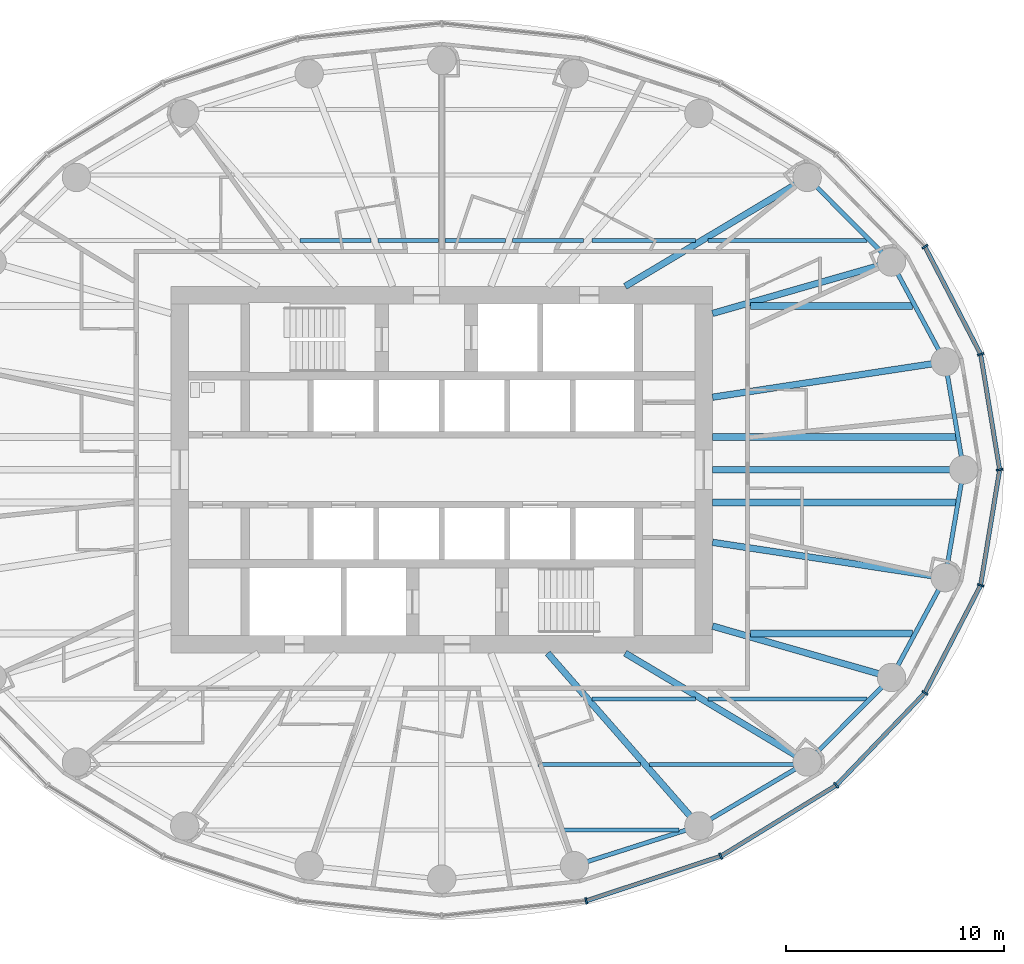
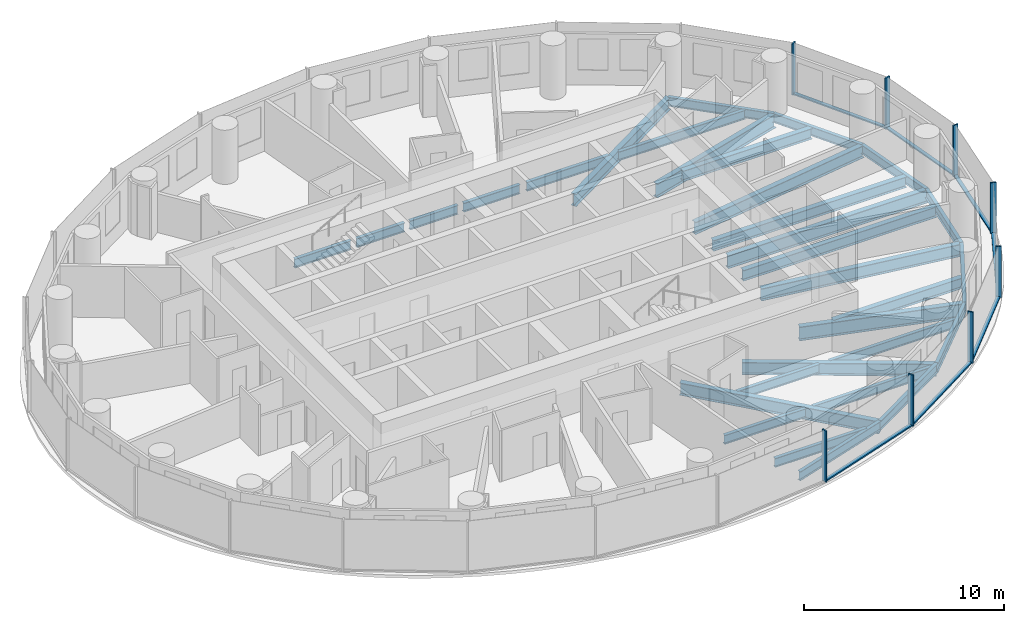
# One storey, part 3 of 14: 31 beams, 15 members, 2 elements without a shape of their own.
"""IFC4 building model written with IfcOpenShell, lengths in metres."""

from ifc_helpers import new_model, si_unit, direction, frame, origin, origin_2d, place, context, subcontext, project, spatial, rectangle, i_section, extrude, material, material_profile, profile_set, type_object, element, aggregate, save


model = new_model("IFC4")

# Units and contexts
model_context = context("Model", 3, precision=1e-05, world=origin(), true_north=direction((0.0, 1.0)))
body_context = subcontext(model_context, "Body", "Model", "MODEL_VIEW")
ifc_project = project(units=[si_unit("LENGTHUNIT", "METRE"), si_unit("AREAUNIT", "SQUARE_METRE"), si_unit("VOLUMEUNIT", "CUBIC_METRE"), si_unit("PLANEANGLEUNIT", "RADIAN"), si_unit("MASSUNIT", "GRAM", prefix="KILO")], contexts=[model_context])

# Site, building, storey
site_placement = place(None, origin())
site = spatial("IfcSite", under=ifc_project, at=site_placement, CompositionType="ELEMENT")
building_placement = place(site_placement, origin())
building = spatial("IfcBuilding", under=site, at=building_placement, Name="Hankou Lantern Tower", CompositionType="ELEMENT")
storey_placement = place(building_placement, frame((0.0, 0.0, 112.199951171875)))
storey = spatial("IfcBuildingStorey", under=building, at=storey_placement, Name="L28", CompositionType="ELEMENT", Elevation=112.199951171875)

# Beams
ifc_material_1 = material(Name="Steel Q355B", Category="steel")
ifc_material_profile_1 = material_profile(ifc_material_1, i_section(OverallWidth=0.199951171875, OverallDepth=0.550048828125, WebThickness=0.010009765625, FlangeThickness=0.01611328125, FilletRadius=0.012939453125, at=origin_2d()), Name="HN550x200x10x16")
ifc_profile_set_1 = profile_set([ifc_material_profile_1], Name="Steel Q355B")
beam_type_1 = type_object("IfcBeamType", Name="EB6 RING BEAM HN550x200x10x16", PredefinedType="SPANDREL", material=ifc_profile_set_1)
beam_1_placement = place(storey_placement, frame((23.89990234375, 0.0, -0.454833984375), z_axis=(-0.168527258545, 0.985696993567, 0.0), x_axis=(-0.985696993567, -0.168527258545, 0.0)))
element("IfcBeam", 1, at=beam_1_placement, inside=storey, type_object=beam_type_1, Name="Ring beam R01-R02 L28", PredefinedType="SPANDREL", context=body_context, shape_type="SweptSolid", body=[
    extrude(i_section(OverallWidth=0.199951171875, OverallDepth=0.550048828125, WebThickness=0.010009765625, FlangeThickness=0.01611328125, FilletRadius=0.012939453125, at=origin_2d()), origin(), (0.0, 0.0, 1.0), 5.013916015625),
])
beam_2_placement = place(storey_placement, frame((23.054931640625, 4.942138671875, -0.454833984375), z_axis=(-0.473824901673, 0.880619079145, 0.0), x_axis=(-0.880619079145, -0.473824901673, 0.0)))
element("IfcBeam", 2, at=beam_2_placement, inside=storey, type_object=beam_type_1, Name="Ring beam R02-R03 L28", PredefinedType="SPANDREL", context=body_context, shape_type="SweptSolid", body=[
    extrude(i_section(OverallWidth=0.199951171875, OverallDepth=0.550048828125, WebThickness=0.010009765625, FlangeThickness=0.01611328125, FilletRadius=0.012939453125, at=origin_2d()), origin(), (0.0, 0.0, 1.0), 5.190185546875),
])
beam_3_placement = place(storey_placement, frame((20.595703125, 9.5126953125, -0.454833984375), z_axis=(-0.705945468625, 0.708266189599, 0.0), x_axis=(-0.708266189599, -0.705945468625, 0.0)))
element("IfcBeam", 3, at=beam_3_placement, inside=storey, type_object=beam_type_1, Name="Ring beam R03-R04 L28", PredefinedType="SPANDREL", context=body_context, shape_type="SweptSolid", body=[
    extrude(i_section(OverallWidth=0.199951171875, OverallDepth=0.550048828125, WebThickness=0.010009765625, FlangeThickness=0.01611328125, FilletRadius=0.012939453125, at=origin_2d()), origin(), (0.0, 0.0, 1.0), 5.470458984375),
])
beam_4_placement = place(storey_placement, frame((6.073974609375, -18.134521484375, -0.454833984375), z_axis=(0.952731090451, 0.303814860215, 0.0), x_axis=(-0.303814860215, 0.952731090451, 0.0)))
element("IfcBeam", 4, at=beam_4_placement, inside=storey, type_object=beam_type_1, Name="Ring beam R20-R21 L28", PredefinedType="SPANDREL", context=body_context, shape_type="SweptSolid", body=[
    extrude(i_section(OverallWidth=0.199951171875, OverallDepth=0.550048828125, WebThickness=0.010009765625, FlangeThickness=0.01611328125, FilletRadius=0.012939453125, at=origin_2d()), origin(), (0.0, 0.0, 1.0), 5.984375),
])
beam_5_placement = place(storey_placement, frame((11.775390625, -16.31640625, -0.454833984375), z_axis=(0.860988974188, 0.508623619513, 0.0), x_axis=(-0.508623619513, 0.860988974188, 0.0)))
element("IfcBeam", 5, at=beam_5_placement, inside=storey, type_object=beam_type_1, Name="Ring beam R21-R22 L28", PredefinedType="SPANDREL", context=body_context, shape_type="SweptSolid", body=[
    extrude(i_section(OverallWidth=0.199951171875, OverallDepth=0.550048828125, WebThickness=0.010009765625, FlangeThickness=0.01611328125, FilletRadius=0.012939453125, at=origin_2d()), origin(), (0.0, 0.0, 1.0), 5.759033203125),
])
beam_6_placement = place(storey_placement, frame((16.73388671875, -13.38720703125, -0.454833984375), z_axis=(0.705945468625, 0.708266189599, 0.0), x_axis=(-0.708266189599, 0.705945468625, 0.0)))
element("IfcBeam", 6, at=beam_6_placement, inside=storey, type_object=beam_type_1, Name="Ring beam R22-R23 L28", PredefinedType="SPANDREL", context=body_context, shape_type="SweptSolid", body=[
    extrude(i_section(OverallWidth=0.199951171875, OverallDepth=0.550048828125, WebThickness=0.010009765625, FlangeThickness=0.01611328125, FilletRadius=0.012939453125, at=origin_2d()), origin(), (0.0, 0.0, 1.0), 5.470458984375),
])
beam_7_placement = place(storey_placement, frame((20.595703125, -9.5126953125, -0.454833984375), z_axis=(0.473824901673, 0.880619079145, 0.0), x_axis=(-0.880619079145, 0.473824901673, 0.0)))
element("IfcBeam", 7, at=beam_7_placement, inside=storey, type_object=beam_type_1, Name="Ring beam R23-R24 L28", PredefinedType="SPANDREL", context=body_context, shape_type="SweptSolid", body=[
    extrude(i_section(OverallWidth=0.199951171875, OverallDepth=0.550048828125, WebThickness=0.010009765625, FlangeThickness=0.01611328125, FilletRadius=0.012939453125, at=origin_2d()), origin(), (0.0, 0.0, 1.0), 5.190185546875),
])
beam_8_placement = place(storey_placement, frame((23.054931640625, -4.942138671875, -0.454833984375), z_axis=(0.168527258545, 0.985696993567, 0.0), x_axis=(-0.985696993567, 0.168527258545, 0.0)))
element("IfcBeam", 8, at=beam_8_placement, inside=storey, type_object=beam_type_1, Name="Ring beam R24-R01 L28", PredefinedType="SPANDREL", context=body_context, shape_type="SweptSolid", body=[
    extrude(i_section(OverallWidth=0.199951171875, OverallDepth=0.550048828125, WebThickness=0.010009765625, FlangeThickness=0.01611328125, FilletRadius=0.012939453125, at=origin_2d()), origin(), (0.0, 0.0, 1.0), 5.013916015625),
])

# Curtain wall, members
ifc_material_2 = material(Name="Glass, dark grey tinted laminated", Category="glass")
curtain_wall_type = type_object("IfcCurtainWallType", Name="CWB OUTER SKIN MID-RISE", PredefinedType="USERDEFINED", material=ifc_material_2)
curtain_wall_1_placement = place(storey_placement, origin())
curtain_wall_1 = element("IfcCurtainWall", 9, at=curtain_wall_1_placement, inside=storey, type_object=curtain_wall_type, Name="CWB L28 OS1", ObjectType="OUTER SKIN MID-RISE", PredefinedType="USERDEFINED")
ifc_material_3 = material(Name="Aluminium, black anodised", Category="aluminium")
ifc_material_profile_2 = material_profile(ifc_material_3, rectangle(XDim=0.080078125, YDim=0.300048828125, at=origin_2d()), Name="MU1 80X300")
ifc_profile_set_2 = profile_set([ifc_material_profile_2], Name="Aluminium, black anodised")
member_type_1 = type_object("IfcMemberType", Name="MU1 OUTER SKIN MULLION 80X300", PredefinedType="MULLION", material=ifc_profile_set_2)
member_1_placement = place(storey_placement, frame((25.550048828125, 0.0, 0.0), z_axis=(0.0, 0.0, 1.0), x_axis=(-0.162381515188, 0.986728049427, 0.0)))
member_1 = element("IfcMember", 10, at=member_1_placement, type_object=member_type_1, Name="CWB mullion 1", PredefinedType="MULLION", context=body_context, shape_type="SweptSolid", body=[
    extrude(rectangle(XDim=0.080078125, YDim=0.300048828125, at=origin_2d()), origin(), (0.0, 0.0, 1.0), 3.1201171875),
])
member_2_placement = place(storey_placement, frame((24.679443359375, 5.290283203125, 0.0), z_axis=(0.0, 0.0, 1.0), x_axis=(-0.317595577365, 0.94822626479, 0.0)))
member_2 = element("IfcMember", 11, at=member_2_placement, type_object=member_type_1, Name="CWB mullion 2", PredefinedType="MULLION", context=body_context, shape_type="SweptSolid", body=[
    extrude(rectangle(XDim=0.080078125, YDim=0.300048828125, at=origin_2d()), origin(), (0.0, 0.0, 1.0), 3.1201171875),
])
member_3_placement = place(storey_placement, frame((22.126953125, 10.219970703125, 0.0), z_axis=(0.0, 0.0, 1.0), x_axis=(-0.585205735974, 0.810884854084, 0.0)))
member_3 = element("IfcMember", 12, at=member_3_placement, type_object=member_type_1, Name="CWB mullion 3", PredefinedType="MULLION", context=body_context, shape_type="SweptSolid", body=[
    extrude(rectangle(XDim=0.080078125, YDim=0.300048828125, at=origin_2d()), origin(), (0.0, 0.0, 1.0), 3.1201171875),
])

curtain_wall_2_placement = place(storey_placement, origin())
curtain_wall_2 = element("IfcCurtainWall", 13, at=curtain_wall_2_placement, inside=storey, type_object=curtain_wall_type, Name="CWB L28 OS4", ObjectType="OUTER SKIN MID-RISE", PredefinedType="USERDEFINED")
member_4_placement = place(storey_placement, frame((6.61279296875, -19.743408203125, 0.0), z_axis=(0.0, 0.0, 1.0), x_axis=(0.977787659625, 0.209597931016, 0.0)))
member_4 = element("IfcMember", 14, at=member_4_placement, type_object=member_type_1, Name="CWB mullion 2", PredefinedType="MULLION", context=body_context, shape_type="SweptSolid", body=[
    extrude(rectangle(XDim=0.080078125, YDim=0.300048828125, at=origin_2d()), origin(), (0.0, 0.0, 1.0), 3.1201171875),
])
member_5_placement = place(storey_placement, frame((12.77490234375, -17.70166015625, 0.0), z_axis=(0.0, 0.0, 1.0), x_axis=(0.907841299004, 0.419313934686, 0.0)))
member_5 = element("IfcMember", 15, at=member_5_placement, type_object=member_type_1, Name="CWB mullion 3", PredefinedType="MULLION", context=body_context, shape_type="SweptSolid", body=[
    extrude(rectangle(XDim=0.080078125, YDim=0.300048828125, at=origin_2d()), origin(), (0.0, 0.0, 1.0), 3.1201171875),
])
member_6_placement = place(storey_placement, frame((18.066650390625, -14.453369140625, 0.0), z_axis=(0.0, 0.0, 1.0), x_axis=(0.780868809444, 0.624695047553, 0.0)))
member_6 = element("IfcMember", 16, at=member_6_placement, type_object=member_type_1, Name="CWB mullion 4", PredefinedType="MULLION", context=body_context, shape_type="SweptSolid", body=[
    extrude(rectangle(XDim=0.080078125, YDim=0.300048828125, at=origin_2d()), origin(), (0.0, 0.0, 1.0), 3.1201171875),
])
member_7_placement = place(storey_placement, frame((22.126953125, -10.219970703125, 0.0), z_axis=(0.0, 0.0, 1.0), x_axis=(0.585205735974, 0.810884854084, 0.0)))
member_7 = element("IfcMember", 17, at=member_7_placement, type_object=member_type_1, Name="CWB mullion 5", PredefinedType="MULLION", context=body_context, shape_type="SweptSolid", body=[
    extrude(rectangle(XDim=0.080078125, YDim=0.300048828125, at=origin_2d()), origin(), (0.0, 0.0, 1.0), 3.1201171875),
])
member_8_placement = place(storey_placement, frame((24.679443359375, -5.290283203125, 0.0), z_axis=(0.0, 0.0, 1.0), x_axis=(0.317595577365, 0.94822626479, 0.0)))
member_8 = element("IfcMember", 18, at=member_8_placement, type_object=member_type_1, Name="CWB mullion 6", PredefinedType="MULLION", context=body_context, shape_type="SweptSolid", body=[
    extrude(rectangle(XDim=0.080078125, YDim=0.300048828125, at=origin_2d()), origin(), (0.0, 0.0, 1.0), 3.1201171875),
])

# Beams
ifc_material_4 = material(Name="Steel Q355B", Category="steel")
ifc_material_profile_3 = material_profile(ifc_material_4, i_section(OverallWidth=0.300048828125, OverallDepth=0.75, WebThickness=0.012939453125, FlangeThickness=0.02392578125, FilletRadius=0.01806640625, at=origin_2d()), Name="HN750x300x13x24")
ifc_profile_set_3 = profile_set([ifc_material_profile_3], Name="Steel Q355B")
beam_type_2 = type_object("IfcBeamType", Name="RB10 RADIAL BEAM HN750x300x13x24", PredefinedType="BEAM", material=ifc_profile_set_3)
beam_9_placement = place(storey_placement, frame((12.39990234375, 3.322509765625, -0.554931640625), z_axis=(0.988643506875, 0.150279793429, 0.0), x_axis=(-0.150279793429, 0.988643506875, 0.0)))
element("IfcBeam", 19, at=beam_9_placement, inside=storey, type_object=beam_type_2, Name="Radial beam R02 L28", PredefinedType="BEAM", context=body_context, shape_type="SweptSolid", body=[
    extrude(i_section(OverallWidth=0.300048828125, OverallDepth=0.75, WebThickness=0.012939453125, FlangeThickness=0.02392578125, FilletRadius=0.01806640625, at=origin_2d()), origin(), (0.0, 0.0, 1.0), 10.77734375),
])
beam_10_placement = place(storey_placement, frame((8.39990234375, 8.39990234375, -0.554931640625), z_axis=(0.858086776551, 0.513504706802, 0.0), x_axis=(-0.513504706802, 0.858086776551, 0.0)))
element("IfcBeam", 20, at=beam_10_placement, inside=storey, type_object=beam_type_2, Name="Radial beam R04 L28", PredefinedType="BEAM", context=body_context, shape_type="SweptSolid", body=[
    extrude(i_section(OverallWidth=0.300048828125, OverallDepth=0.75, WebThickness=0.012939453125, FlangeThickness=0.02392578125, FilletRadius=0.01806640625, at=origin_2d()), origin(), (0.0, 0.0, 1.0), 9.71240234375),
])
beam_11_placement = place(storey_placement, frame((4.849853515625, -8.39990234375, -0.554931640625), z_axis=(0.658429014446, -0.752642832249, 0.0), x_axis=(0.752642832249, 0.658429014446, 0.0)))
element("IfcBeam", 21, at=beam_11_placement, inside=storey, type_object=beam_type_2, Name="Radial beam R21 L28", PredefinedType="BEAM", context=body_context, shape_type="SweptSolid", body=[
    extrude(i_section(OverallWidth=0.300048828125, OverallDepth=0.75, WebThickness=0.012939453125, FlangeThickness=0.02392578125, FilletRadius=0.01806640625, at=origin_2d()), origin(), (0.0, 0.0, 1.0), 10.518310546875),
])
beam_12_placement = place(storey_placement, frame((8.39990234375, -8.39990234375, -0.554931640625), z_axis=(0.858086776551, -0.513504706802, 0.0), x_axis=(0.513504706802, 0.858086776551, 0.0)))
element("IfcBeam", 22, at=beam_12_placement, inside=storey, type_object=beam_type_2, Name="Radial beam R22 L28", PredefinedType="BEAM", context=body_context, shape_type="SweptSolid", body=[
    extrude(i_section(OverallWidth=0.300048828125, OverallDepth=0.75, WebThickness=0.012939453125, FlangeThickness=0.02392578125, FilletRadius=0.01806640625, at=origin_2d()), origin(), (0.0, 0.0, 1.0), 9.71240234375),
])
beam_13_placement = place(storey_placement, frame((12.39990234375, -3.322509765625, -0.554931640625), z_axis=(0.988643506875, -0.150279793429, 0.0), x_axis=(0.150279793429, 0.988643506875, 0.0)))
element("IfcBeam", 23, at=beam_13_placement, inside=storey, type_object=beam_type_2, Name="Radial beam R24 L28", PredefinedType="BEAM", context=body_context, shape_type="SweptSolid", body=[
    extrude(i_section(OverallWidth=0.300048828125, OverallDepth=0.75, WebThickness=0.012939453125, FlangeThickness=0.02392578125, FilletRadius=0.01806640625, at=origin_2d()), origin(), (0.0, 0.0, 1.0), 10.77734375),
])
ifc_material_5 = material(Name="Steel Q355B", Category="steel")
ifc_material_profile_4 = material_profile(ifc_material_5, i_section(OverallWidth=0.300048828125, OverallDepth=0.800048828125, WebThickness=0.013916015625, FlangeThickness=0.02587890625, FilletRadius=0.01806640625, at=origin_2d()), Name="HN800x300x14x26")
ifc_profile_set_4 = profile_set([ifc_material_profile_4], Name="Steel Q355B")
beam_type_3 = type_object("IfcBeamType", Name="RB11 RADIAL BEAM HN800x300x14x26", PredefinedType="BEAM", material=ifc_profile_set_4)
beam_14_placement = place(storey_placement, frame((12.39990234375, 0.0, -0.579833984375), z_axis=(1.0, 0.0, 0.0), x_axis=(0.0, 1.0, 0.0)))
element("IfcBeam", 24, at=beam_14_placement, inside=storey, type_object=beam_type_3, Name="Radial beam R01 L28", PredefinedType="BEAM", context=body_context, shape_type="SweptSolid", body=[
    extrude(i_section(OverallWidth=0.300048828125, OverallDepth=0.800048828125, WebThickness=0.013916015625, FlangeThickness=0.02587890625, FilletRadius=0.01806640625, at=origin_2d()), origin(), (0.0, 0.0, 1.0), 11.5),
])
ifc_material_6 = material(Name="Steel Q355B", Category="steel")
ifc_material_profile_5 = material_profile(ifc_material_6, i_section(OverallWidth=0.300048828125, OverallDepth=0.85009765625, WebThickness=0.01611328125, FlangeThickness=0.027099609375, FilletRadius=0.01806640625, at=origin_2d()), Name="HN850x300x16x27")
ifc_profile_set_5 = profile_set([ifc_material_profile_5], Name="Steel Q355B")
beam_type_4 = type_object("IfcBeamType", Name="RB12 RADIAL BEAM HN850x300x16x27", PredefinedType="BEAM", material=ifc_profile_set_5)
for number, where, z_axis, x_axis, name in (
    (25, (12.39990234375, 7.1591796875, -0.60498046875), (0.961155741911, 0.276006593745, 0.0), (-0.276006593745, 0.961155741911, 0.0), "Radial beam R03 L28"),
    (26, (12.39990234375, -7.1591796875, -0.60498046875), (0.961155741911, -0.276006593745, 0.0), (0.276006593745, 0.961155741911, 0.0), "Radial beam R23 L28"),
):
    element("IfcBeam", number, at=place(storey_placement, frame(where, z_axis=z_axis, x_axis=x_axis)), inside=storey, type_object=beam_type_4, Name=name, PredefinedType="BEAM", context=body_context, shape_type="SweptSolid", body=[
        extrude(i_section(OverallWidth=0.300048828125, OverallDepth=0.85009765625, WebThickness=0.01611328125, FlangeThickness=0.027099609375, FilletRadius=0.01806640625, at=origin_2d()), origin(), (0.0, 0.0, 1.0), 8.527099609375),
    ])
ifc_material_7 = material(Name="Steel Q355B", Category="steel")
ifc_material_profile_6 = material_profile(ifc_material_7, i_section(OverallWidth=0.199951171875, OverallDepth=0.550048828125, WebThickness=0.010009765625, FlangeThickness=0.01611328125, FilletRadius=0.012939453125, at=origin_2d()), Name="HN550x200x10x16")
ifc_profile_set_6 = profile_set([ifc_material_profile_6], Name="Steel Q355B")
beam_type_5 = type_object("IfcBeamType", Name="SB6 SECONDARY BEAM HN550x200x10x16", PredefinedType="JOIST", material=ifc_profile_set_6)
beam_15_placement = place(storey_placement, frame((5.59326171875, -16.5, -0.454833984375), z_axis=(1.0, 0.0, 0.0), x_axis=(0.0, 1.0, 0.0)))
element("IfcBeam", 27, at=beam_15_placement, inside=storey, type_object=beam_type_5, Name="Floor joist J004 L28", PredefinedType="JOIST", context=body_context, shape_type="SweptSolid", body=[
    extrude(i_section(OverallWidth=0.199951171875, OverallDepth=0.550048828125, WebThickness=0.010009765625, FlangeThickness=0.01611328125, FilletRadius=0.012939453125, at=origin_2d()), origin(), (0.0, 0.0, 1.0), 5.27685546875),
])
beam_16_placement = place(storey_placement, frame((4.4150390625, -13.5, -0.454833984375), z_axis=(1.0, 0.0, 0.0), x_axis=(0.0, 1.0, 0.0)))
element("IfcBeam", 28, at=beam_16_placement, inside=storey, type_object=beam_type_5, Name="Floor joist J009 L28", PredefinedType="JOIST", context=body_context, shape_type="SweptSolid", body=[
    extrude(i_section(OverallWidth=0.199951171875, OverallDepth=0.550048828125, WebThickness=0.010009765625, FlangeThickness=0.01611328125, FilletRadius=0.012939453125, at=origin_2d()), origin(), (0.0, 0.0, 1.0), 4.697021484375),
])
beam_17_placement = place(storey_placement, frame((9.5107421875, -13.5, -0.454833984375), z_axis=(1.0, 0.0, 0.0), x_axis=(0.0, 1.0, 0.0)))
element("IfcBeam", 29, at=beam_17_placement, inside=storey, type_object=beam_type_5, Name="Floor joist J010 L28", PredefinedType="JOIST", context=body_context, shape_type="SweptSolid", body=[
    extrude(i_section(OverallWidth=0.199951171875, OverallDepth=0.550048828125, WebThickness=0.010009765625, FlangeThickness=0.01611328125, FilletRadius=0.012939453125, at=origin_2d()), origin(), (0.0, 0.0, 1.0), 6.83544921875),
])
beam_18_placement = place(storey_placement, frame((6.88623046875, -10.5, -0.454833984375), z_axis=(1.0, 0.0, 0.0), x_axis=(0.0, 1.0, 0.0)))
element("IfcBeam", 30, at=beam_18_placement, inside=storey, type_object=beam_type_5, Name="Floor joist J017 L28", PredefinedType="JOIST", context=body_context, shape_type="SweptSolid", body=[
    extrude(i_section(OverallWidth=0.199951171875, OverallDepth=0.550048828125, WebThickness=0.010009765625, FlangeThickness=0.01611328125, FilletRadius=0.012939453125, at=origin_2d()), origin(), (0.0, 0.0, 1.0), 4.73095703125),
])
beam_19_placement = place(storey_placement, frame((12.201416015625, -10.5, -0.454833984375), z_axis=(1.0, 0.0, 0.0), x_axis=(0.0, 1.0, 0.0)))
element("IfcBeam", 31, at=beam_19_placement, inside=storey, type_object=beam_type_5, Name="Floor joist J018 L28", PredefinedType="JOIST", context=body_context, shape_type="SweptSolid", body=[
    extrude(i_section(OverallWidth=0.199951171875, OverallDepth=0.550048828125, WebThickness=0.010009765625, FlangeThickness=0.01611328125, FilletRadius=0.012939453125, at=origin_2d()), origin(), (0.0, 0.0, 1.0), 7.26904296875),
])
beam_20_placement = place(storey_placement, frame((-6.487548828125, 10.5, -0.454833984375), z_axis=(1.0, 0.0, 0.0), x_axis=(0.0, 1.0, 0.0)))
element("IfcBeam", 32, at=beam_20_placement, inside=storey, type_object=beam_type_5, Name="Floor joist J037 L28", PredefinedType="JOIST", context=body_context, shape_type="SweptSolid", body=[
    extrude(i_section(OverallWidth=0.199951171875, OverallDepth=0.550048828125, WebThickness=0.010009765625, FlangeThickness=0.01611328125, FilletRadius=0.012939453125, at=origin_2d()), origin(), (0.0, 0.0, 1.0), 3.2509765625),
])
for number, where, z_axis, x_axis, name in (
    (33, (-2.914306640625, 10.5, -0.454833984375), (1.0, 0.0, 0.0), (0.0, 1.0, 0.0), "Floor joist J038 L28"),
    (34, (0.14990234375, 10.5, -0.454833984375), (1.0, 0.0, 0.0), (0.0, 1.0, 0.0), "Floor joist J039 L28"),
):
    element("IfcBeam", number, at=place(storey_placement, frame(where, z_axis=z_axis, x_axis=x_axis)), inside=storey, type_object=beam_type_5, Name=name, PredefinedType="JOIST", context=body_context, shape_type="SweptSolid", body=[
        extrude(i_section(OverallWidth=0.199951171875, OverallDepth=0.550048828125, WebThickness=0.010009765625, FlangeThickness=0.01611328125, FilletRadius=0.012939453125, at=origin_2d()), origin(), (0.0, 0.0, 1.0), 2.764404296875),
    ])
beam_21_placement = place(storey_placement, frame((3.236572265625, 10.5, -0.454833984375), z_axis=(1.0, 0.0, 0.0), x_axis=(0.0, 1.0, 0.0)))
element("IfcBeam", 35, at=beam_21_placement, inside=storey, type_object=beam_type_5, Name="Floor joist J040 L28", PredefinedType="JOIST", context=body_context, shape_type="SweptSolid", body=[
    extrude(i_section(OverallWidth=0.199951171875, OverallDepth=0.550048828125, WebThickness=0.010009765625, FlangeThickness=0.01611328125, FilletRadius=0.012939453125, at=origin_2d()), origin(), (0.0, 0.0, 1.0), 3.2509765625),
])
beam_22_placement = place(storey_placement, frame((6.88623046875, 10.5, -0.454833984375), z_axis=(1.0, 0.0, 0.0), x_axis=(0.0, 1.0, 0.0)))
element("IfcBeam", 36, at=beam_22_placement, inside=storey, type_object=beam_type_5, Name="Floor joist J041 L28", PredefinedType="JOIST", context=body_context, shape_type="SweptSolid", body=[
    extrude(i_section(OverallWidth=0.199951171875, OverallDepth=0.550048828125, WebThickness=0.010009765625, FlangeThickness=0.01611328125, FilletRadius=0.012939453125, at=origin_2d()), origin(), (0.0, 0.0, 1.0), 4.73095703125),
])
beam_23_placement = place(storey_placement, frame((12.201416015625, 10.5, -0.454833984375), z_axis=(1.0, 0.0, 0.0), x_axis=(0.0, 1.0, 0.0)))
element("IfcBeam", 37, at=beam_23_placement, inside=storey, type_object=beam_type_5, Name="Floor joist J042 L28", PredefinedType="JOIST", context=body_context, shape_type="SweptSolid", body=[
    extrude(i_section(OverallWidth=0.199951171875, OverallDepth=0.550048828125, WebThickness=0.010009765625, FlangeThickness=0.01611328125, FilletRadius=0.012939453125, at=origin_2d()), origin(), (0.0, 0.0, 1.0), 7.26904296875),
])
ifc_material_8 = material(Name="Steel Q355B", Category="steel")
ifc_material_profile_7 = material_profile(ifc_material_8, i_section(OverallWidth=0.300048828125, OverallDepth=0.64990234375, WebThickness=0.010986328125, FlangeThickness=0.01708984375, FilletRadius=0.01806640625, at=origin_2d()), Name="HN650x300x11x17")
ifc_profile_set_7 = profile_set([ifc_material_profile_7], Name="Steel Q355B")
beam_type_6 = type_object("IfcBeamType", Name="SB8 SECONDARY BEAM HN650x300x11x17", PredefinedType="JOIST", material=ifc_profile_set_7)
beam_24_placement = place(storey_placement, frame((14.13037109375, -7.5, -0.5048828125), z_axis=(1.0, 0.0, 0.0), x_axis=(0.0, 1.0, 0.0)))
element("IfcBeam", 38, at=beam_24_placement, inside=storey, type_object=beam_type_6, Name="Floor joist J020 L28", PredefinedType="JOIST", context=body_context, shape_type="SweptSolid", body=[
    extrude(i_section(OverallWidth=0.300048828125, OverallDepth=0.64990234375, WebThickness=0.010986328125, FlangeThickness=0.01708984375, FilletRadius=0.01806640625, at=origin_2d()), origin(), (0.0, 0.0, 1.0), 7.4345703125),
])
for number, where, z_axis, x_axis, name in (
    (39, (12.39990234375, -1.5, -0.5048828125), (1.0, 0.0, 0.0), (0.0, 1.0, 0.0), "Floor joist J026 L28"),
    (40, (12.39990234375, 1.5, -0.5048828125), (1.0, 0.0, 0.0), (0.0, 1.0, 0.0), "Floor joist J028 L28"),
):
    element("IfcBeam", number, at=place(storey_placement, frame(where, z_axis=z_axis, x_axis=x_axis)), inside=storey, type_object=beam_type_6, Name=name, PredefinedType="JOIST", context=body_context, shape_type="SweptSolid", body=[
        extrude(i_section(OverallWidth=0.300048828125, OverallDepth=0.64990234375, WebThickness=0.010986328125, FlangeThickness=0.01708984375, FilletRadius=0.01806640625, at=origin_2d()), origin(), (0.0, 0.0, 1.0), 11.14208984375),
    ])
beam_25_placement = place(storey_placement, frame((14.13037109375, 7.5, -0.5048828125), z_axis=(1.0, 0.0, 0.0), x_axis=(0.0, 1.0, 0.0)))
element("IfcBeam", 41, at=beam_25_placement, inside=storey, type_object=beam_type_6, Name="Floor joist J034 L28", PredefinedType="JOIST", context=body_context, shape_type="SweptSolid", body=[
    extrude(i_section(OverallWidth=0.300048828125, OverallDepth=0.64990234375, WebThickness=0.010986328125, FlangeThickness=0.01708984375, FilletRadius=0.01806640625, at=origin_2d()), origin(), (0.0, 0.0, 1.0), 7.4345703125),
])

# Member
ifc_material_9 = material(Name="Aluminium, black anodised", Category="aluminium")
ifc_material_profile_8 = material_profile(ifc_material_9, rectangle(XDim=0.199951171875, YDim=0.080078125, at=origin_2d()), Name="TR1 200X80")
ifc_profile_set_8 = profile_set([ifc_material_profile_8], Name="Aluminium, black anodised")
member_type_2 = type_object("IfcMemberType", Name="TR1 OUTER SKIN TRANSOM 200X80", PredefinedType="USERDEFINED", material=ifc_profile_set_8)
member_9_placement = place(storey_placement, frame((25.54345703125, 0.03955078125, 0.0400390625), z_axis=(-0.162397124076, 0.986725480614, 0.0), x_axis=(-0.986725480614, -0.162397124076, 0.0)))
member_9 = element("IfcMember", 42, at=member_9_placement, type_object=member_type_2, Name="CWB transom 1", ObjectType="TRANSOM", PredefinedType="USERDEFINED", context=body_context, shape_type="SweptSolid", body=[
    extrude(rectangle(XDim=0.199951171875, YDim=0.080078125, at=origin_2d()), origin(), (0.0, 0.0, 1.0), 5.28125),
])

member_10_placement = place(storey_placement, frame((24.6611328125, 5.32568359375, 0.0400390625), z_axis=(-0.459805240543, 0.888019786249, 0.0), x_axis=(-0.888019786249, -0.459805240543, 0.0)))
member_10 = element("IfcMember", 43, at=member_10_placement, type_object=member_type_2, Name="CWB transom 2", ObjectType="TRANSOM", PredefinedType="USERDEFINED", context=body_context, shape_type="SweptSolid", body=[
    extrude(rectangle(XDim=0.199951171875, YDim=0.080078125, at=origin_2d()), origin(), (0.0, 0.0, 1.0), 5.4716796875),
])

aggregate(curtain_wall_1, [member_1, member_2, member_3, member_9, member_10])

member_11_placement = place(storey_placement, frame((6.65087890625, -19.73095703125, 0.0400390625), z_axis=(0.949237765745, 0.314559476225, 0.0), x_axis=(-0.314559476225, 0.949237765745, 0.0)))
member_11 = element("IfcMember", 44, at=member_11_placement, type_object=member_type_2, Name="CWB transom 2", ObjectType="TRANSOM", PredefinedType="USERDEFINED", context=body_context, shape_type="SweptSolid", body=[
    extrude(rectangle(XDim=0.199951171875, YDim=0.080078125, at=origin_2d()), origin(), (0.0, 0.0, 1.0), 6.41162109375),
])

member_12_placement = place(storey_placement, frame((12.80908203125, -17.6806640625, 0.0400390625), z_axis=(0.852229492169, 0.523168130411, 0.0), x_axis=(-0.523168130411, 0.852229492169, 0.0)))
member_12 = element("IfcMember", 45, at=member_12_placement, type_object=member_type_2, Name="CWB transom 3", ObjectType="TRANSOM", PredefinedType="USERDEFINED", context=body_context, shape_type="SweptSolid", body=[
    extrude(rectangle(XDim=0.199951171875, YDim=0.080078125, at=origin_2d()), origin(), (0.0, 0.0, 1.0), 6.129150390625),
])

member_13_placement = place(storey_placement, frame((18.09423828125, -14.42431640625, 0.0400390625), z_axis=(0.692226977748, 0.721679853729, 0.0), x_axis=(-0.721679853729, 0.692226977748, 0.0)))
member_13 = element("IfcMember", 46, at=member_13_placement, type_object=member_type_2, Name="CWB transom 4", ObjectType="TRANSOM", PredefinedType="USERDEFINED", context=body_context, shape_type="SweptSolid", body=[
    extrude(rectangle(XDim=0.199951171875, YDim=0.080078125, at=origin_2d()), origin(), (0.0, 0.0, 1.0), 5.785888671875),
])

member_14_placement = place(storey_placement, frame((22.145263671875, -10.1845703125, 0.0400390625), z_axis=(0.459805240543, 0.888019786249, 0.0), x_axis=(-0.888019786249, 0.459805240543, 0.0)))
member_14 = element("IfcMember", 47, at=member_14_placement, type_object=member_type_2, Name="CWB transom 5", ObjectType="TRANSOM", PredefinedType="USERDEFINED", context=body_context, shape_type="SweptSolid", body=[
    extrude(rectangle(XDim=0.199951171875, YDim=0.080078125, at=origin_2d()), origin(), (0.0, 0.0, 1.0), 5.4716796875),
])

member_15_placement = place(storey_placement, frame((24.685791015625, -5.250732421875, 0.0400390625), z_axis=(0.162397124076, 0.986725480614, 0.0), x_axis=(-0.986725480614, 0.162397124076, 0.0)))
member_15 = element("IfcMember", 48, at=member_15_placement, type_object=member_type_2, Name="CWB transom 6", ObjectType="TRANSOM", PredefinedType="USERDEFINED", context=body_context, shape_type="SweptSolid", body=[
    extrude(rectangle(XDim=0.199951171875, YDim=0.080078125, at=origin_2d()), origin(), (0.0, 0.0, 1.0), 5.28125),
])

aggregate(curtain_wall_2, [member_4, member_5, member_6, member_7, member_8, member_11, member_12, member_13, member_14, member_15])

save(model, "model.ifc")
